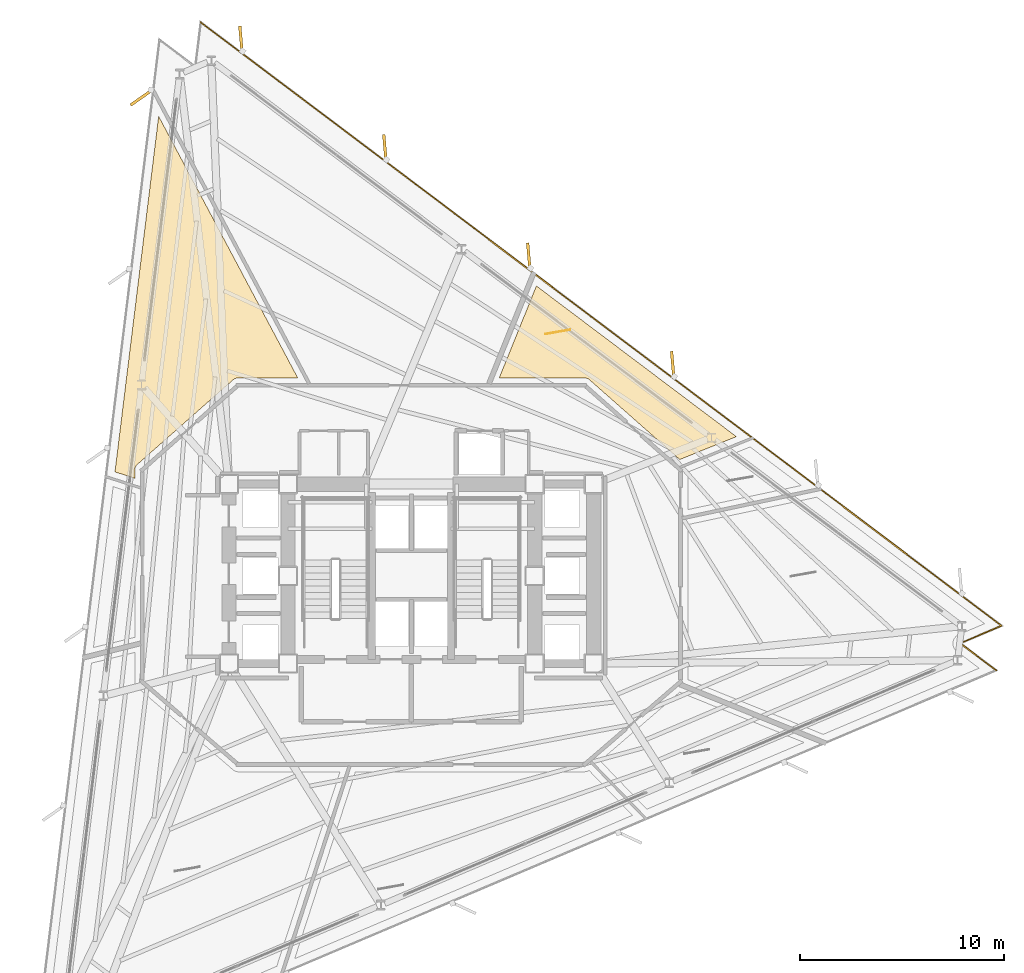
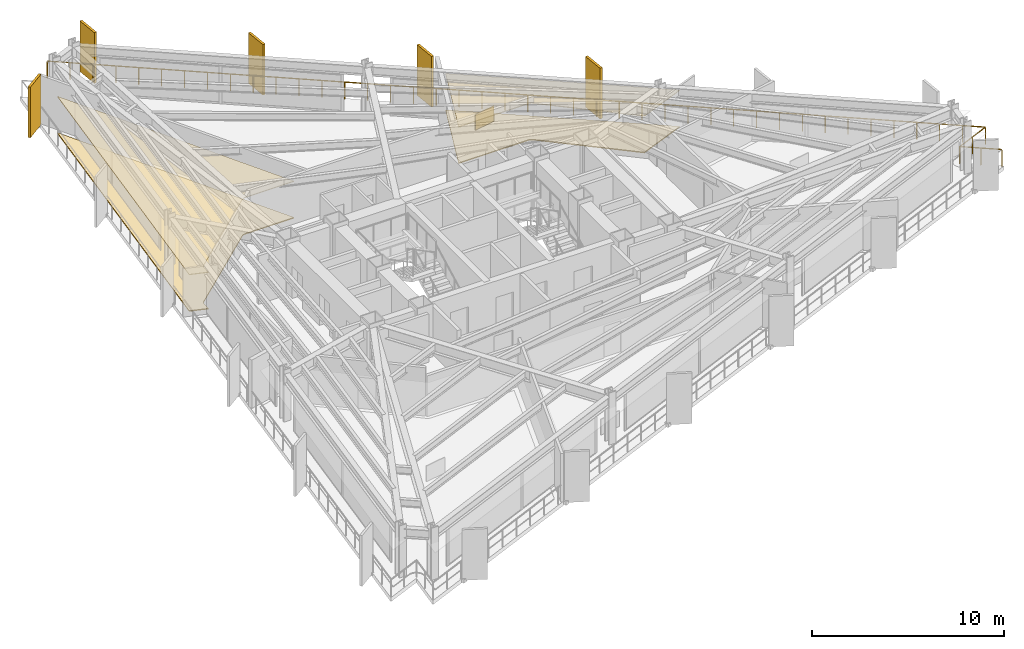
# One storey, part 13 of 13: 5 coverings, 5 shading devices, 1 railing.
"""IFC4 building model written with IfcOpenShell, lengths in metres."""

from ifc_helpers import new_model, si_unit, direction, frame, origin, origin_2d, place, context, subcontext, project, spatial, polyline, rectangle, outline, extrude, material, layer, layer_set, type_object, element, save


model = new_model("IFC4")

# Units and contexts
model_context = context("Model", 3, precision=1e-05, world=origin(), true_north=direction((0.0, 1.0)))
body_context = subcontext(model_context, "Body", "Model", "MODEL_VIEW")
ifc_project = project(units=[si_unit("LENGTHUNIT", "METRE"), si_unit("AREAUNIT", "SQUARE_METRE"), si_unit("VOLUMEUNIT", "CUBIC_METRE"), si_unit("PLANEANGLEUNIT", "RADIAN"), si_unit("MASSUNIT", "GRAM", prefix="KILO")], contexts=[model_context])

# Site, building, storey
site_placement = place(None, origin())
site = spatial("IfcSite", under=ifc_project, at=site_placement, CompositionType="ELEMENT")
building_placement = place(site_placement, origin())
building = spatial("IfcBuilding", under=site, at=building_placement, Name="Rocaltana Carrier Exchange", CompositionType="ELEMENT")
storey_placement = place(building_placement, frame((0.0, 0.0, 56.320068359375)))
storey = spatial("IfcBuildingStorey", under=building, at=storey_placement, Name="L17", CompositionType="ELEMENT", Elevation=56.320068359375)

# Coverings
ifc_material_1 = material(Name="Calcium Sulphate & Aluminium Pedestal", Category="aluminium")
ifc_layer_1 = layer(ifc_material_1, 0.06005859375)
ifc_layer_set_1 = layer_set([ifc_layer_1], Name="Calcium Sulphate & Aluminium Pedestal")
covering_type_1 = type_object("IfcCoveringType", Name="Anti-Static Raised Exchange Access Floor 60", PredefinedType="FLOORING", material=ifc_layer_set_1)
covering_1_placement = place(storey_placement, origin())
element("IfcCovering", 1, at=covering_1_placement, inside=storey, type_object=covering_type_1, Name="L17 Network Engineering Studio Finish Floor", PredefinedType="FLOORING", context=body_context, shape_type="SweptSolid", body=[
    extrude(outline(polyline([(15.944580078125, 6.830322265625), (13.16796875, 5.70849609375), (8.73828125, 9.619873046875), (8.727294921875, 9.629150390625), (8.720703125, 9.63427734375), (8.697265625, 9.651123046875), (8.690185546875, 9.655517578125), (8.6650390625, 9.669921875), (8.65771484375, 9.673583984375), (8.631103515625, 9.68505859375), (8.62353515625, 9.68798828125), (8.595947265625, 9.697021484375), (8.587890625, 9.698974609375), (8.5595703125, 9.704833984375), (8.551513671875, 9.706298828125), (8.522705078125, 9.709228515625), (8.514404296875, 9.709716796875), (8.5, 9.7099609375), (4.311279296875, 9.7099609375), (6.134521484375, 14.222900390625), (15.944580078125, 6.830322265625)])), origin(), (0.0, 0.0, 1.0), 0.059814453125),
])
covering_2_placement = place(storey_placement, origin())
element("IfcCovering", 2, at=covering_2_placement, inside=storey, type_object=covering_type_1, Name="L17 Photonic Integration Workshop Finish Floor", PredefinedType="FLOORING", context=body_context, shape_type="SweptSolid", body=[
    extrude(outline(polyline([(-12.3955078125, 22.545654296875), (-5.570556640625, 9.7099609375), (-8.5, 9.7099609375), (-8.514404296875, 9.709716796875), (-8.522705078125, 9.709228515625), (-8.551513671875, 9.706298828125), (-8.5595703125, 9.704833984375), (-8.587890625, 9.698974609375), (-8.595947265625, 9.697021484375), (-8.62353515625, 9.68798828125), (-8.631103515625, 9.68505859375), (-8.65771484375, 9.673583984375), (-8.6650390625, 9.669921875), (-8.690185546875, 9.655517578125), (-8.697265625, 9.651123046875), (-8.720703125, 9.63427734375), (-8.727294921875, 9.629150390625), (-8.73828125, 9.619873046875), (-13.438232421875, 5.469970703125), (-13.447998046875, 5.4609375), (-13.453369140625, 5.455810546875), (-13.471435546875, 5.436279296875), (-13.476318359375, 5.4306640625), (-13.492431640625, 5.409912109375), (-13.49658203125, 5.40380859375), (-13.5107421875, 5.38134765625), (-13.5146484375, 5.375), (-13.526611328125, 5.351318359375), (-13.529541015625, 5.344482421875), (-13.539306640625, 5.320068359375), (-13.541748046875, 5.31298828125), (-13.549072265625, 5.28759765625), (-13.55078125, 5.2802734375), (-13.555908203125, 5.25439453125), (-13.556884765625, 5.246826171875), (-13.559326171875, 5.220703125), (-13.559814453125, 5.213134765625), (-13.56005859375, 5.199951171875), (-13.56005859375, 4.784423828125), (-14.537353515625, 5.10205078125), (-12.3955078125, 22.545654296875)])), origin(), (0.0, 0.0, 1.0), 0.059814453125),
])
ifc_material_2 = material(Name="Mineral Fibre & Powder-Coated Aluminium", Category="aluminium")
ifc_layer_2 = layer(ifc_material_2, 0.044921875)
ifc_layer_set_2 = layer_set([ifc_layer_2], Name="Mineral Fibre & Powder-Coated Aluminium")
covering_type_2 = type_object("IfcCoveringType", Name="Micro-Perforated Acoustic Ceiling 45", PredefinedType="CEILING", material=ifc_layer_set_2)
covering_3_placement = place(storey_placement, frame((0.0, 0.0, 2.322998046875)))
element("IfcCovering", 3, at=covering_3_placement, inside=storey, type_object=covering_type_2, Name="L17 Network Engineering Studio Acoustic Ceiling", PredefinedType="CEILING", context=body_context, shape_type="SweptSolid", body=[
    extrude(outline(polyline([(15.944580078125, 6.830322265625), (13.16796875, 5.70849609375), (8.73828125, 9.619873046875), (8.727294921875, 9.629150390625), (8.720703125, 9.63427734375), (8.697265625, 9.651123046875), (8.690185546875, 9.655517578125), (8.6650390625, 9.669921875), (8.65771484375, 9.673583984375), (8.631103515625, 9.68505859375), (8.62353515625, 9.68798828125), (8.595947265625, 9.697021484375), (8.587890625, 9.698974609375), (8.5595703125, 9.704833984375), (8.551513671875, 9.706298828125), (8.522705078125, 9.709228515625), (8.514404296875, 9.709716796875), (8.5, 9.7099609375), (4.311279296875, 9.7099609375), (6.134521484375, 14.222900390625), (15.944580078125, 6.830322265625)])), origin(), (0.0, 0.0, 1.0), 0.044921875),
])
covering_4_placement = place(storey_placement, frame((0.0, 0.0, 2.322998046875)))
element("IfcCovering", 4, at=covering_4_placement, inside=storey, type_object=covering_type_2, Name="L17 Photonic Integration Workshop Acoustic Ceiling", PredefinedType="CEILING", context=body_context, shape_type="SweptSolid", body=[
    extrude(outline(polyline([(-12.3955078125, 22.545654296875), (-5.570556640625, 9.7099609375), (-8.5, 9.7099609375), (-8.514404296875, 9.709716796875), (-8.522705078125, 9.709228515625), (-8.551513671875, 9.706298828125), (-8.5595703125, 9.704833984375), (-8.587890625, 9.698974609375), (-8.595947265625, 9.697021484375), (-8.62353515625, 9.68798828125), (-8.631103515625, 9.68505859375), (-8.65771484375, 9.673583984375), (-8.6650390625, 9.669921875), (-8.690185546875, 9.655517578125), (-8.697265625, 9.651123046875), (-8.720703125, 9.63427734375), (-8.727294921875, 9.629150390625), (-8.73828125, 9.619873046875), (-13.438232421875, 5.469970703125), (-13.447998046875, 5.4609375), (-13.453369140625, 5.455810546875), (-13.471435546875, 5.436279296875), (-13.476318359375, 5.4306640625), (-13.492431640625, 5.409912109375), (-13.49658203125, 5.40380859375), (-13.5107421875, 5.38134765625), (-13.5146484375, 5.375), (-13.526611328125, 5.351318359375), (-13.529541015625, 5.344482421875), (-13.539306640625, 5.320068359375), (-13.541748046875, 5.31298828125), (-13.549072265625, 5.28759765625), (-13.55078125, 5.2802734375), (-13.555908203125, 5.25439453125), (-13.556884765625, 5.246826171875), (-13.559326171875, 5.220703125), (-13.559814453125, 5.213134765625), (-13.56005859375, 5.199951171875), (-13.56005859375, 4.784423828125), (-14.537353515625, 5.10205078125), (-12.3955078125, 22.545654296875)])), origin(), (0.0, 0.0, 1.0), 0.044921875),
])
ifc_material_3 = material(Name="Honed Piedra Muneca Sandstone", Category="masonry")
ifc_layer_3 = layer(ifc_material_3, 0.034912109375)
ifc_layer_set_3 = layer_set([ifc_layer_3], Name="Honed Piedra Muneca Sandstone")
covering_type_3 = type_object("IfcCoveringType", Name="Stone Facade Cladding 35", PredefinedType="CLADDING", material=ifc_layer_set_3)
covering_5_placement = place(storey_placement, frame((7.176025390625, 11.96630859375, 0.0), z_axis=(0.0, 0.0, 1.0), x_axis=(0.984807753012, 0.173648177667, 0.0)))
element("IfcCovering", 5, at=covering_5_placement, inside=storey, type_object=covering_type_3, Name="L17 Stone Facade Cladding Panel 6", PredefinedType="CLADDING", context=body_context, shape_type="SweptSolid", body=[
    extrude(rectangle(XDim=1.25, YDim=0.034912109375, at=origin_2d()), origin(), (0.0, 0.0, 1.0), 1.050048828125),
])

# Shading devices
ifc_material_4 = material(Name="Honed Bogota Sandstone & Concrete C45/55", Category="masonry")
ifc_layer_4 = layer(ifc_material_4, 0.139892578125)
ifc_layer_set_4 = layer_set([ifc_layer_4], Name="Honed Bogota Sandstone & Concrete C45/55")
shading_device_type = type_object("IfcShadingDeviceType", Name="Vertical Sandstone Shading Fin 1320x140", PredefinedType="USERDEFINED", material=ifc_layer_set_4)
for number, where, z_axis, x_axis, name in (
    (6, (12.822509765625, 10.361083984375, -0.1201171875), (0.0, 0.0, 1.0), (-0.087155742748, 0.996194698092, 0.0), "L17 Sandstone Vertical Fin F1-03"),
    (7, (5.7626953125, 15.680908203125, -0.1201171875), (0.0, 0.0, 1.0), (-0.087155742748, 0.996194698092, 0.0), "L17 Sandstone Vertical Fin F1-04"),
    (8, (-1.29736328125, 21.001220703125, -0.1201171875), (0.0, 0.0, 1.0), (-0.087155742748, 0.996194698092, 0.0), "L17 Sandstone Vertical Fin F1-05"),
    (9, (-8.357421875, 26.321044921875, -0.1201171875), (0.0, 0.0, 1.0), (-0.087155742748, 0.996194698092, 0.0), "L17 Sandstone Vertical Fin F1-06"),
    (10, (-13.2294921875, 23.472412109375, -0.1201171875), (0.0, 0.0, 1.0), (-0.819152044289, -0.573576436351, 0.0), "L17 Sandstone Vertical Fin F2-01"),
):
    element("IfcShadingDevice", number, at=place(storey_placement, frame(where, z_axis=z_axis, x_axis=x_axis)), inside=storey, type_object=shading_device_type, Name=name, ObjectType="FIN", PredefinedType="USERDEFINED", context=body_context, shape_type="SweptSolid", body=[
        extrude(rectangle(XDim=1.320068359375, YDim=0.139892578125, at=origin_2d()), origin(), (0.0, 0.0, 1.0), 3.218017578125),
    ])

# Railing
ifc_material_5 = material(Name="Powder-Coated Aluminium 6063-T6", Category="aluminium")
ifc_layer_5 = layer(ifc_material_5, 0.06005859375)
ifc_layer_set_5 = layer_set([ifc_layer_5], Name="Powder-Coated Aluminium 6063-T6")
railing_type = type_object("IfcRailingType", Name="Wind-Floor & Terrace Perimeter Guardrail 1100", PredefinedType="GUARDRAIL", material=ifc_layer_set_5)
railing_placement = place(storey_placement, frame((-10.332763671875, 27.15771484375, 0.0)))
element("IfcRailing", 11, at=railing_placement, inside=storey, type_object=railing_type, Name="L17 Perimeter Balcony Guardrail 3", PredefinedType="GUARDRAIL", context=body_context, shape_type="SweptSolid", body=[
    extrude(rectangle(XDim=0.048095703125, YDim=0.048095703125, at=origin_2d()), frame((0.0, 0.0, 1.076171875), z_axis=(0.798636489562, -0.60181372329, 0.0), x_axis=(0.60181372329, 0.798636489562, 0.0)), (0.0, 0.0, 1.0), 49.192138671875),
    extrude(rectangle(XDim=0.048095703125, YDim=0.048095703125, at=origin_2d()), frame((39.28662109375, -29.6044921875, 1.076171875), z_axis=(-0.92050559585, -0.390729379504, 0.0), x_axis=(0.390729379504, -0.92050559585, 0.0)), (0.0, 0.0, 1.0), 2.199951171875),
    extrude(rectangle(XDim=0.048095703125, YDim=0.048095703125, at=origin_2d()), frame((37.261474609375, -30.464111328125, 1.076171875), z_axis=(0.798653030423, -0.601791772125, 0.0), x_axis=(0.601791772125, 0.798653030423, 0.0)), (0.0, 0.0, 1.0), 2.199951171875),
    extrude(rectangle(XDim=0.0419921875, YDim=0.0419921875, at=origin_2d()), origin(), (0.0, 0.0, 1.0), 1.052001953125),
    extrude(rectangle(XDim=0.0419921875, YDim=0.0419921875, at=origin_2d()), frame((0.958251953125, -0.72216796875, 0.0)), (0.0, 0.0, 1.0), 1.052001953125),
    extrude(rectangle(XDim=0.0419921875, YDim=0.0419921875, at=origin_2d()), frame((1.91650390625, -1.444091796875, 0.0)), (0.0, 0.0, 1.0), 1.052001953125),
    extrude(rectangle(XDim=0.0419921875, YDim=0.0419921875, at=origin_2d()), frame((2.87451171875, -2.166259765625, 0.0)), (0.0, 0.0, 1.0), 1.052001953125),
    extrude(rectangle(XDim=0.0419921875, YDim=0.0419921875, at=origin_2d()), frame((3.832763671875, -2.88818359375, 0.0)), (0.0, 0.0, 1.0), 1.052001953125),
    extrude(rectangle(XDim=0.0419921875, YDim=0.0419921875, at=origin_2d()), frame((4.791015625, -3.6103515625, 0.0)), (0.0, 0.0, 1.0), 1.052001953125),
    extrude(rectangle(XDim=0.0419921875, YDim=0.0419921875, at=origin_2d()), frame((5.749267578125, -4.332275390625, 0.0)), (0.0, 0.0, 1.0), 1.052001953125),
    extrude(rectangle(XDim=0.0419921875, YDim=0.0419921875, at=origin_2d()), frame((6.70751953125, -5.054443359375, 0.0)), (0.0, 0.0, 1.0), 1.052001953125),
    extrude(rectangle(XDim=0.0419921875, YDim=0.0419921875, at=origin_2d()), frame((7.665771484375, -5.7763671875, 0.0)), (0.0, 0.0, 1.0), 1.052001953125),
    extrude(rectangle(XDim=0.0419921875, YDim=0.0419921875, at=origin_2d()), frame((8.623779296875, -6.49853515625, 0.0)), (0.0, 0.0, 1.0), 1.052001953125),
    extrude(rectangle(XDim=0.0419921875, YDim=0.0419921875, at=origin_2d()), frame((9.58203125, -7.220703125, 0.0)), (0.0, 0.0, 1.0), 1.052001953125),
    extrude(rectangle(XDim=0.0419921875, YDim=0.0419921875, at=origin_2d()), frame((10.540283203125, -7.942626953125, 0.0)), (0.0, 0.0, 1.0), 1.052001953125),
    extrude(rectangle(XDim=0.0419921875, YDim=0.0419921875, at=origin_2d()), frame((11.49853515625, -8.664794921875, 0.0)), (0.0, 0.0, 1.0), 1.052001953125),
    extrude(rectangle(XDim=0.0419921875, YDim=0.0419921875, at=origin_2d()), frame((12.456787109375, -9.38671875, 0.0)), (0.0, 0.0, 1.0), 1.052001953125),
    extrude(rectangle(XDim=0.0419921875, YDim=0.0419921875, at=origin_2d()), frame((13.4150390625, -10.10888671875, 0.0)), (0.0, 0.0, 1.0), 1.052001953125),
    extrude(rectangle(XDim=0.0419921875, YDim=0.0419921875, at=origin_2d()), frame((14.373046875, -10.830810546875, 0.0)), (0.0, 0.0, 1.0), 1.052001953125),
    extrude(rectangle(XDim=0.0419921875, YDim=0.0419921875, at=origin_2d()), frame((15.331298828125, -11.552978515625, 0.0)), (0.0, 0.0, 1.0), 1.052001953125),
    extrude(rectangle(XDim=0.0419921875, YDim=0.0419921875, at=origin_2d()), frame((16.28955078125, -12.275146484375, 0.0)), (0.0, 0.0, 1.0), 1.052001953125),
    extrude(rectangle(XDim=0.0419921875, YDim=0.0419921875, at=origin_2d()), frame((17.247802734375, -12.9970703125, 0.0)), (0.0, 0.0, 1.0), 1.052001953125),
    extrude(rectangle(XDim=0.0419921875, YDim=0.0419921875, at=origin_2d()), frame((18.2060546875, -13.71923828125, 0.0)), (0.0, 0.0, 1.0), 1.052001953125),
    extrude(rectangle(XDim=0.0419921875, YDim=0.0419921875, at=origin_2d()), frame((19.164306640625, -14.441162109375, 0.0)), (0.0, 0.0, 1.0), 1.052001953125),
    extrude(rectangle(XDim=0.0419921875, YDim=0.0419921875, at=origin_2d()), frame((20.122314453125, -15.163330078125, 0.0)), (0.0, 0.0, 1.0), 1.052001953125),
    extrude(rectangle(XDim=0.0419921875, YDim=0.0419921875, at=origin_2d()), frame((21.08056640625, -15.88525390625, 0.0)), (0.0, 0.0, 1.0), 1.052001953125),
    extrude(rectangle(XDim=0.0419921875, YDim=0.0419921875, at=origin_2d()), frame((22.038818359375, -16.607421875, 0.0)), (0.0, 0.0, 1.0), 1.052001953125),
    extrude(rectangle(XDim=0.0419921875, YDim=0.0419921875, at=origin_2d()), frame((22.9970703125, -17.329345703125, 0.0)), (0.0, 0.0, 1.0), 1.052001953125),
    extrude(rectangle(XDim=0.0419921875, YDim=0.0419921875, at=origin_2d()), frame((23.955322265625, -18.051513671875, 0.0)), (0.0, 0.0, 1.0), 1.052001953125),
    extrude(rectangle(XDim=0.0419921875, YDim=0.0419921875, at=origin_2d()), frame((24.91357421875, -18.773681640625, 0.0)), (0.0, 0.0, 1.0), 1.052001953125),
    extrude(rectangle(XDim=0.0419921875, YDim=0.0419921875, at=origin_2d()), frame((25.87158203125, -19.49560546875, 0.0)), (0.0, 0.0, 1.0), 1.052001953125),
    extrude(rectangle(XDim=0.0419921875, YDim=0.0419921875, at=origin_2d()), frame((26.829833984375, -20.2177734375, 0.0)), (0.0, 0.0, 1.0), 1.052001953125),
    extrude(rectangle(XDim=0.0419921875, YDim=0.0419921875, at=origin_2d()), frame((27.7880859375, -20.939697265625, 0.0)), (0.0, 0.0, 1.0), 1.052001953125),
    extrude(rectangle(XDim=0.0419921875, YDim=0.0419921875, at=origin_2d()), frame((28.746337890625, -21.661865234375, 0.0)), (0.0, 0.0, 1.0), 1.052001953125),
    extrude(rectangle(XDim=0.0419921875, YDim=0.0419921875, at=origin_2d()), frame((29.70458984375, -22.3837890625, 0.0)), (0.0, 0.0, 1.0), 1.052001953125),
    extrude(rectangle(XDim=0.0419921875, YDim=0.0419921875, at=origin_2d()), frame((30.662841796875, -23.10595703125, 0.0)), (0.0, 0.0, 1.0), 1.052001953125),
    extrude(rectangle(XDim=0.0419921875, YDim=0.0419921875, at=origin_2d()), frame((31.620849609375, -23.828125, 0.0)), (0.0, 0.0, 1.0), 1.052001953125),
    extrude(rectangle(XDim=0.0419921875, YDim=0.0419921875, at=origin_2d()), frame((32.5791015625, -24.550048828125, 0.0)), (0.0, 0.0, 1.0), 1.052001953125),
    extrude(rectangle(XDim=0.0419921875, YDim=0.0419921875, at=origin_2d()), frame((33.537353515625, -25.272216796875, 0.0)), (0.0, 0.0, 1.0), 1.052001953125),
    extrude(rectangle(XDim=0.0419921875, YDim=0.0419921875, at=origin_2d()), frame((34.49560546875, -25.994140625, 0.0)), (0.0, 0.0, 1.0), 1.052001953125),
    extrude(rectangle(XDim=0.0419921875, YDim=0.0419921875, at=origin_2d()), frame((35.453857421875, -26.71630859375, 0.0)), (0.0, 0.0, 1.0), 1.052001953125),
    extrude(rectangle(XDim=0.0419921875, YDim=0.0419921875, at=origin_2d()), frame((36.412109375, -27.438232421875, 0.0)), (0.0, 0.0, 1.0), 1.052001953125),
    extrude(rectangle(XDim=0.0419921875, YDim=0.0419921875, at=origin_2d()), frame((37.3701171875, -28.160400390625, 0.0)), (0.0, 0.0, 1.0), 1.052001953125),
    extrude(rectangle(XDim=0.0419921875, YDim=0.0419921875, at=origin_2d()), frame((38.328369140625, -28.88232421875, 0.0)), (0.0, 0.0, 1.0), 1.052001953125),
    extrude(rectangle(XDim=0.0419921875, YDim=0.0419921875, at=origin_2d()), frame((39.28662109375, -29.6044921875, 0.0)), (0.0, 0.0, 1.0), 1.052001953125),
    extrude(rectangle(XDim=0.0419921875, YDim=0.0419921875, at=origin_2d()), frame((38.27392578125, -30.0341796875, 0.0)), (0.0, 0.0, 1.0), 1.052001953125),
    extrude(rectangle(XDim=0.0419921875, YDim=0.0419921875, at=origin_2d()), frame((37.261474609375, -30.464111328125, 0.0)), (0.0, 0.0, 1.0), 1.052001953125),
    extrude(rectangle(XDim=0.0419921875, YDim=0.0419921875, at=origin_2d()), frame((38.14013671875, -31.1259765625, 0.0)), (0.0, 0.0, 1.0), 1.052001953125),
    extrude(rectangle(XDim=0.0419921875, YDim=0.0419921875, at=origin_2d()), frame((39.0185546875, -31.7880859375, 0.0)), (0.0, 0.0, 1.0), 1.052001953125),
])

save(model, "model.ifc")
